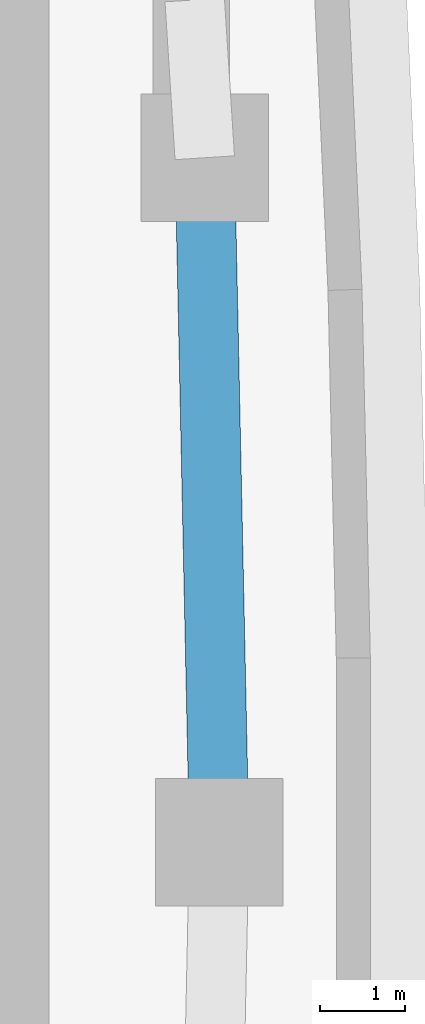
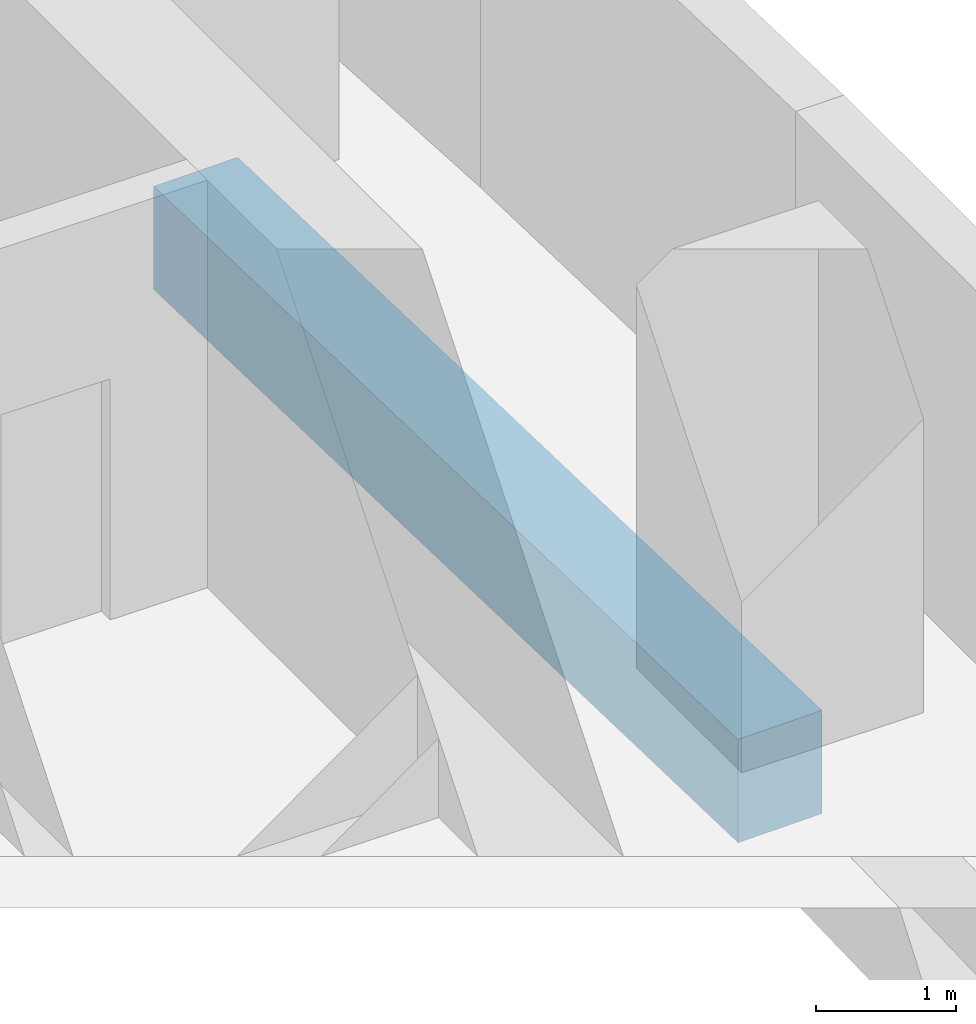
# One storey, part 4 of 17: 1 beam.
"""IFC4 building model written with IfcOpenShell, lengths in metres."""

from ifc_helpers import new_model, si_unit, direction, frame, origin, origin_2d, place, context, subcontext, project, spatial, rectangle, extrude, material, material_profile, profile_set, type_object, element, save


model = new_model("IFC4")

# Units and contexts
model_context = context("Model", 3, precision=1e-05, world=origin(), true_north=direction((0.0, 1.0)))
body_context = subcontext(model_context, "Body", "Model", "MODEL_VIEW")
ifc_project = project(units=[si_unit("LENGTHUNIT", "METRE"), si_unit("AREAUNIT", "SQUARE_METRE"), si_unit("VOLUMEUNIT", "CUBIC_METRE"), si_unit("PLANEANGLEUNIT", "RADIAN"), si_unit("MASSUNIT", "GRAM", prefix="KILO")], contexts=[model_context])

# Site, building, storey
site_placement = place(None, origin())
site = spatial("IfcSite", under=ifc_project, at=site_placement, CompositionType="ELEMENT")
building_placement = place(site_placement, origin())
building = spatial("IfcBuilding", under=site, at=building_placement, Name="Ostrand Prow Hotel Tower", CompositionType="ELEMENT")
storey_placement = place(building_placement, frame((0.0, 0.0, 133.75)))
storey = spatial("IfcBuildingStorey", under=building, at=storey_placement, Name="L32", CompositionType="ELEMENT", Elevation=133.75)

# Beam
ifc_material = material(Name="Concrete C70/85", Category="concrete")
ifc_material_profile = material_profile(ifc_material, rectangle(XDim=0.699951171875, YDim=0.89990234375, at=origin_2d()), Name="RC 700x900")
ifc_profile_set = profile_set([ifc_material_profile], Name="Concrete C70/85")
beam_type = type_object("IfcBeamType", Name="Edge beam 700x900 C70/85", PredefinedType="SPANDREL", material=ifc_profile_set)
beam_placement = place(storey_placement, frame((64.5, 0.0, -0.75), z_axis=(-0.021178217658, 0.999775716397, 0.0), x_axis=(-0.999775716397, -0.021178217658, 0.0)))
element("IfcBeam", 1, at=beam_placement, inside=storey, type_object=beam_type, Name="Edge beam B3-B4", PredefinedType="SPANDREL", context=body_context, shape_type="SweptSolid", body=[
    extrude(rectangle(XDim=0.699951171875, YDim=0.89990234375, at=origin_2d()), origin(), (0.0, 0.0, 1.0), 8.04638671875),
])

save(model, "model.ifc")
